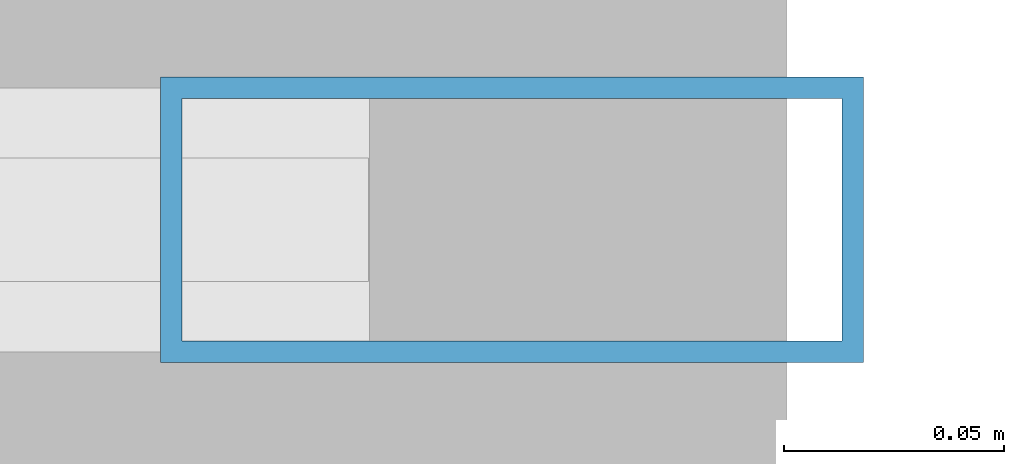
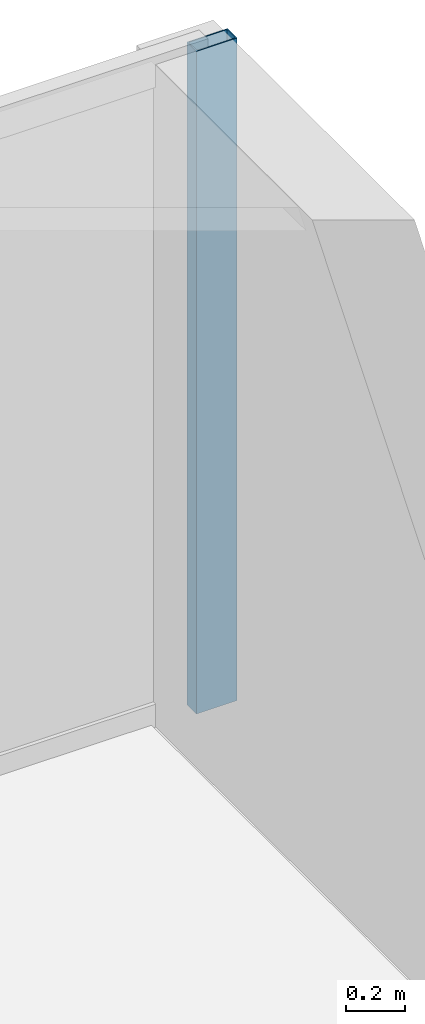
# One storey, part 26 of 37: 1 member, 1 element without a shape of its own.
"""IFC4 building model written with IfcOpenShell, lengths in metres."""

from ifc_helpers import new_model, si_unit, direction, frame, origin, origin_2d, place, context, subcontext, project, spatial, hollow_rectangle, extrude, source, transform, mapped, material, layer, layer_set, material_profile, profile_set, type_object, element, aggregate, save


model = new_model("IFC4")

# Units and contexts
model_context = context("Model", 3, precision=1e-05, world=origin(), true_north=direction((0.0, 1.0)))
body_context = subcontext(model_context, "Body", "Model", "MODEL_VIEW")
ifc_project = project(units=[si_unit("LENGTHUNIT", "METRE"), si_unit("AREAUNIT", "SQUARE_METRE"), si_unit("VOLUMEUNIT", "CUBIC_METRE"), si_unit("PLANEANGLEUNIT", "RADIAN"), si_unit("MASSUNIT", "GRAM", prefix="KILO")], contexts=[model_context])

# Site, building, storey
site_placement = place(None, origin())
site = spatial("IfcSite", under=ifc_project, at=site_placement, CompositionType="ELEMENT")
building_placement = place(site_placement, origin())
building = spatial("IfcBuilding", under=site, at=building_placement, Name="Sumidabori Civic Tower", CompositionType="ELEMENT")
storey_placement = place(building_placement, frame((0.0, 0.0, 95.60009765625)))
storey = spatial("IfcBuildingStorey", under=building, at=storey_placement, Name="L24", CompositionType="ELEMENT", Elevation=95.60009765625)

# Curtain wall, member
ifc_material = material(Name="Anodised Bronze Aluminium AW-6063-T6", Category="aluminium")
ifc_layer = layer(ifc_material, 0.179931640625, Name="Anodised Bronze Aluminium AW-6063-T6")
ifc_layer_set = layer_set([ifc_layer], Name="Anodised Bronze Aluminium AW-6063-T6")
curtain_wall_type = type_object("IfcCurtainWallType", Name="CW-SYS-3", PredefinedType="NOTDEFINED", material=ifc_layer_set)
curtain_wall_placement = place(storey_placement, origin())
curtain_wall = element("IfcCurtainWall", 1, at=curtain_wall_placement, inside=storey, type_object=curtain_wall_type, Name="Curtain Wall CW:L24:R07", PredefinedType="NOTDEFINED")
ifc_material_profile = material_profile(ifc_material, hollow_rectangle(XDim=0.06494140625, YDim=0.159912109375, WallThickness=0.0048828125, at=origin_2d()), Name="ALU MULLION 160x65")
ifc_profile_set = profile_set([ifc_material_profile], Name="Anodised Bronze Aluminium AW-6063-T6")
member_type = type_object("IfcMemberType", Name="CW-MUL-160", PredefinedType="MULLION", material=ifc_profile_set)
shared_shape = source(origin(), body_context, "Body", "SweptSolid", [
    extrude(hollow_rectangle(XDim=0.06494140625, YDim=0.159912109375, WallThickness=0.0048828125, at=origin_2d()), origin(), (0.0, 0.0, 1.0), 2.739990234375),
])
member_placement = place(storey_placement, frame((20.1875, 25.280029296875, 0.0), z_axis=(0.0, 0.0, 1.0), x_axis=(0.0, -1.0, 0.0)))
member = element("IfcMember", 2, at=member_placement, type_object=member_type, Name="CW-3 mullion 1", PredefinedType="MULLION", context=body_context, shape_type="MappedRepresentation", body=[
    mapped(shared_shape, transform((0.0, 0.0, 0.0), x_axis=(1.0, 0.0, 0.0), y_axis=(0.0, 1.0, 0.0), z_axis=(0.0, 0.0, 1.0), scale=1.0)),
])
aggregate(curtain_wall, [member])

save(model, "model.ifc")
